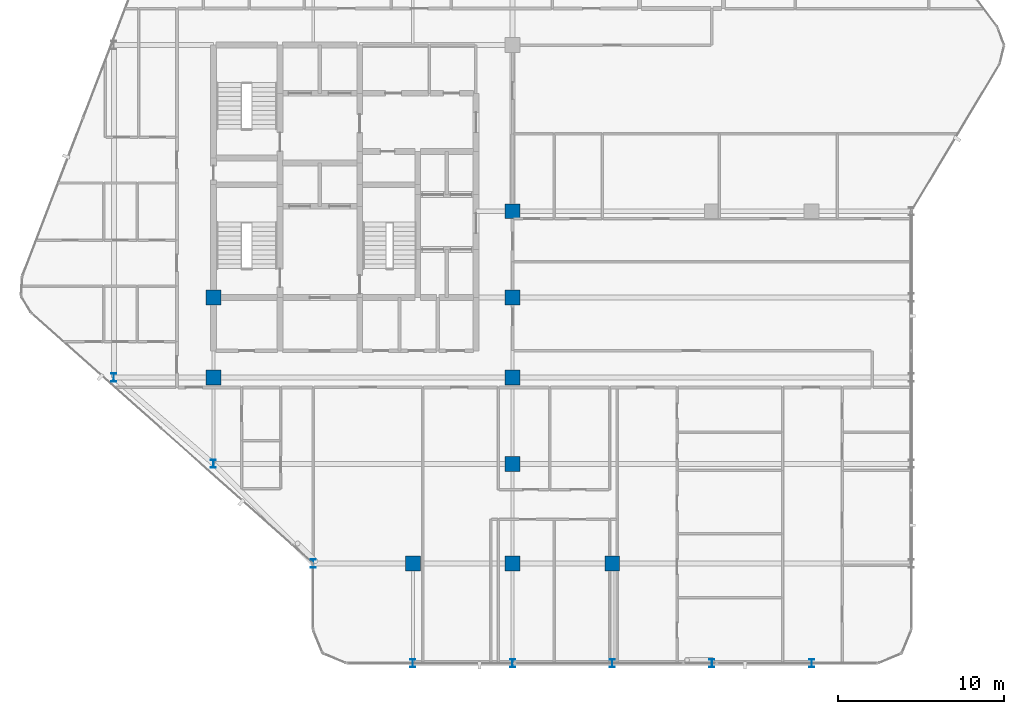
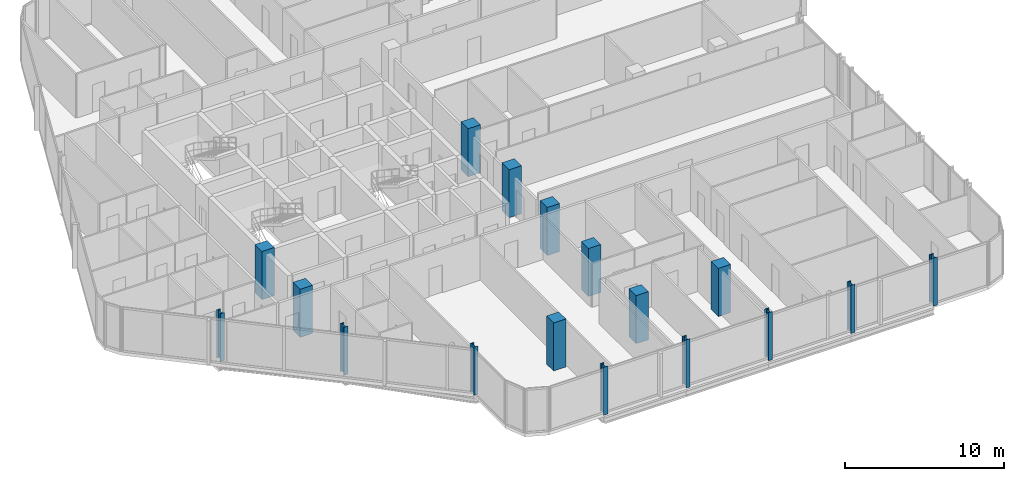
# One storey, part 1 of 31: 17 columns.
"""IFC4 building model written with IfcOpenShell, lengths in metres."""

from ifc_helpers import new_model, si_unit, direction, frame, origin, origin_2d, place, context, subcontext, project, spatial, rectangle, i_section, extrude, material, material_profile, profile_set, type_object, element, save


model = new_model("IFC4")

# Units and contexts
model_context = context("Model", 3, precision=1e-05, world=origin(), true_north=direction((0.0, 1.0)))
body_context = subcontext(model_context, "Body", "Model", "MODEL_VIEW")
ifc_project = project(units=[si_unit("LENGTHUNIT", "METRE"), si_unit("AREAUNIT", "SQUARE_METRE"), si_unit("VOLUMEUNIT", "CUBIC_METRE"), si_unit("PLANEANGLEUNIT", "RADIAN"), si_unit("MASSUNIT", "GRAM", prefix="KILO")], contexts=[model_context])

# Site, building, storey
site_placement = place(None, origin())
site = spatial("IfcSite", under=ifc_project, at=site_placement, CompositionType="ELEMENT")
building_placement = place(site_placement, origin())
building = spatial("IfcBuilding", under=site, at=building_placement, Name="Keshet Zoharim Tower", CompositionType="ELEMENT")
storey_placement = place(building_placement, frame((0.0, 0.0, 133.5)))
storey = spatial("IfcBuildingStorey", under=building, at=storey_placement, Name="L32", CompositionType="ELEMENT", Elevation=133.5)

# Columns
ifc_material_1 = material(Name="Steel S355", Category="steel")
ifc_material_profile_1 = material_profile(ifc_material_1, i_section(OverallWidth=0.300048828125, OverallDepth=0.5, WebThickness=0.014404296875, FlangeThickness=0.028076171875, FilletRadius=0.027099609375, at=origin_2d()), Name="HEB500")
ifc_profile_set_1 = profile_set([ifc_material_profile_1], Name="Steel S355")
column_type_1 = type_object("IfcColumnType", Name="COL-HEB500", PredefinedType="COLUMN", material=ifc_profile_set_1)
for number, where, z_axis, x_axis, name in (
    (1, (9.0, 17.89990234375, 0.0), (0.0, 0.0, 1.0), (1.0, 0.0, 0.0), "L32 Column 2D"),
    (2, (15.0, 12.699951171875, 0.0), (0.0, 0.0, 1.0), (1.0, 0.0, 0.0), "L32 Column 3C"),
    (3, (21.0, 6.699951171875, 0.0), (0.0, 0.0, 1.0), (1.0, 0.0, 0.0), "L32 Column 4B"),
    (4, (27.0, 0.699951171875, 0.0), (0.0, 0.0, 1.0), (1.0, 0.0, 0.0), "L32 Column 5A"),
    (5, (33.0, 0.699951171875, 0.0), (0.0, 0.0, 1.0), (1.0, 0.0, 0.0), "L32 Column 6A"),
    (6, (39.0, 0.699951171875, 0.0), (0.0, 0.0, 1.0), (1.0, 0.0, 0.0), "L32 Column 7A"),
    (7, (45.0, 0.699951171875, 0.0), (0.0, 0.0, 1.0), (1.0, 0.0, 0.0), "L32 Column 8A"),
    (8, (51.0, 0.699951171875, 0.0), (0.0, 0.0, 1.0), (1.0, 0.0, 0.0), "L32 Column 9A"),
):
    element("IfcColumn", number, at=place(storey_placement, frame(where, z_axis=z_axis, x_axis=x_axis)), inside=storey, type_object=column_type_1, Name=name, PredefinedType="COLUMN", context=body_context, shape_type="SweptSolid", body=[
        extrude(i_section(OverallWidth=0.300048828125, OverallDepth=0.5, WebThickness=0.014404296875, FlangeThickness=0.028076171875, FilletRadius=0.027099609375, at=origin_2d()), origin(), (0.0, 0.0, 1.0), 3.699951171875),
    ])
ifc_material_2 = material(Name="Concrete C60/75", Category="concrete")
ifc_material_profile_2 = material_profile(ifc_material_2, rectangle(XDim=0.89990234375, YDim=0.89990234375, at=origin_2d()), Name="RC900x900")
ifc_profile_set_2 = profile_set([ifc_material_profile_2], Name="Concrete C60/75")
column_type_2 = type_object("IfcColumnType", Name="COL-RC900", PredefinedType="COLUMN", material=ifc_profile_set_2)
for number, where, z_axis, x_axis, name in (
    (9, (15.0, 17.89990234375, 0.0), (0.0, 0.0, 1.0), (1.0, 0.0, 0.0), "L32 Column 3D"),
    (10, (15.0, 22.699951171875, 0.0), (0.0, 0.0, 1.0), (1.0, 0.0, 0.0), "L32 Column 3E"),
    (11, (27.0, 6.699951171875, 0.0), (0.0, 0.0, 1.0), (1.0, 0.0, 0.0), "L32 Column 5B"),
    (12, (33.0, 6.699951171875, 0.0), (0.0, 0.0, 1.0), (1.0, 0.0, 0.0), "L32 Column 6B"),
    (13, (33.0, 12.699951171875, 0.0), (0.0, 0.0, 1.0), (1.0, 0.0, 0.0), "L32 Column 6C"),
    (14, (33.0, 17.89990234375, 0.0), (0.0, 0.0, 1.0), (1.0, 0.0, 0.0), "L32 Column 6D"),
    (15, (33.0, 22.699951171875, 0.0), (0.0, 0.0, 1.0), (1.0, 0.0, 0.0), "L32 Column 6E"),
    (16, (33.0, 27.89990234375, 0.0), (0.0, 0.0, 1.0), (1.0, 0.0, 0.0), "L32 Column 6F"),
    (17, (39.0, 6.699951171875, 0.0), (0.0, 0.0, 1.0), (1.0, 0.0, 0.0), "L32 Column 7B"),
):
    element("IfcColumn", number, at=place(storey_placement, frame(where, z_axis=z_axis, x_axis=x_axis)), inside=storey, type_object=column_type_2, Name=name, PredefinedType="COLUMN", context=body_context, shape_type="SweptSolid", body=[
        extrude(rectangle(XDim=0.89990234375, YDim=0.89990234375, at=origin_2d()), origin(), (0.0, 0.0, 1.0), 3.699951171875),
    ])

save(model, "model.ifc")
